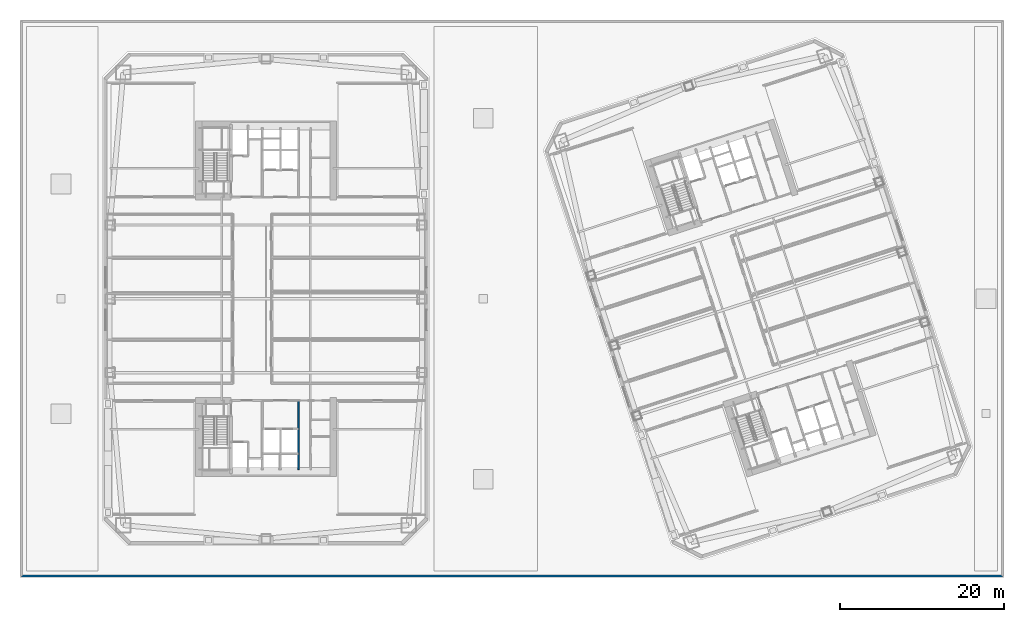
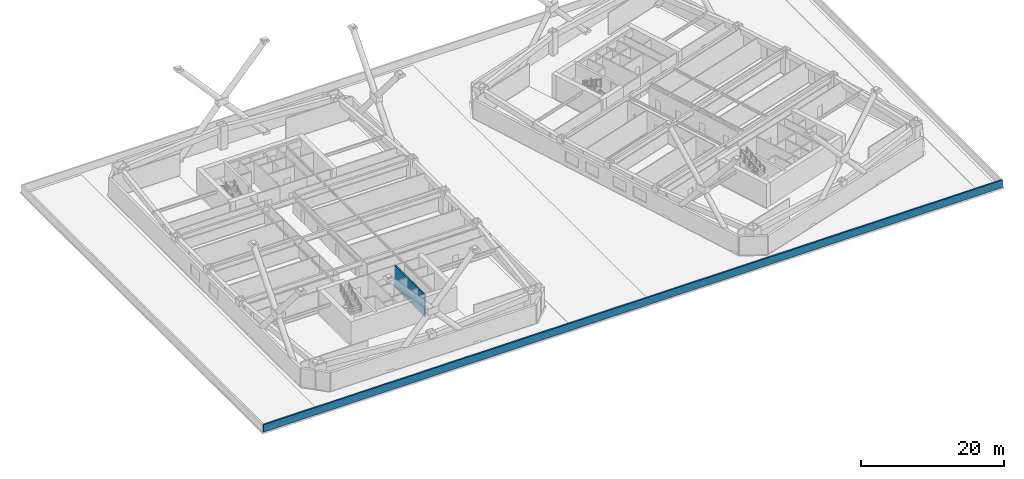
# One storey, part 6 of 20: 2 walls.
"""IFC4 building model written with IfcOpenShell, lengths in metres."""

from ifc_helpers import new_model, si_unit, direction, frame, frame_2d, origin, place, context, subcontext, project, spatial, rectangle, extrude, material, layer, layer_set, type_object, element, save


model = new_model("IFC4")

# Units and contexts
model_context = context("Model", 3, precision=1e-05, world=origin(), true_north=direction((0.0, 1.0)))
body_context = subcontext(model_context, "Body", "Model", "MODEL_VIEW")
ifc_project = project(units=[si_unit("LENGTHUNIT", "METRE"), si_unit("AREAUNIT", "SQUARE_METRE"), si_unit("VOLUMEUNIT", "CUBIC_METRE"), si_unit("PLANEANGLEUNIT", "RADIAN"), si_unit("MASSUNIT", "GRAM", prefix="KILO")], contexts=[model_context])

# Site, building, storey
site_placement = place(None, origin())
site = spatial("IfcSite", under=ifc_project, at=site_placement, CompositionType="ELEMENT")
building_placement = place(site_placement, origin())
building = spatial("IfcBuilding", under=site, at=building_placement, Name="Qiaolan Cultural Towers", CompositionType="ELEMENT")
storey_placement = place(building_placement, frame((0.0, 0.0, 26.0)))
storey = spatial("IfcBuildingStorey", under=building, at=storey_placement, Name="L05", CompositionType="ELEMENT", Elevation=26.0)

# Walls
ifc_material_1 = material(Name="Concrete C35 Fire Wall", Category="concrete")
ifc_layer_1 = layer(ifc_material_1, 0.199951171875)
ifc_layer_set_1 = layer_set([ifc_layer_1], Name="Concrete C35 Fire Wall")
wall_type_1 = type_object("IfcWallType", Name="WL-FIRE-200", PredefinedType="PARTITIONING", material=ifc_layer_set_1)
wall_1_placement = place(storey_placement, frame((33.949951171875, 21.60009765625, 0.0), z_axis=(0.0, 0.0, 1.0), x_axis=(0.0, -1.0, 0.0)))
element("IfcWall", 1, at=wall_1_placement, inside=storey, type_object=wall_type_1, Name="L05 T1-CS Lift Core East Wall", PredefinedType="PARTITIONING", context=body_context, shape_type="SweptSolid", body=[
    extrude(rectangle(XDim=8.43017578125, YDim=0.199951171875, at=frame_2d((4.215087890625, 0.0))), origin(), (0.0, 0.0, 1.0), 3.72509765625),
])
ifc_material_2 = material(Name="Precast Concrete C45 Parapet Coping", Category="concrete")
ifc_layer_2 = layer(ifc_material_2, 0.25)
ifc_layer_set_2 = layer_set([ifc_layer_2], Name="Precast Concrete C45 Parapet Coping")
wall_type_2 = type_object("IfcWallType", Name="WL-PARAPET-250", PredefinedType="PARAPET", material=ifc_layer_set_2)
wall_2_placement = place(storey_placement, frame((0.199951171875, 0.199951171875, 0.0), z_axis=(0.0, 0.0, 1.0), x_axis=(1.0, 0.0, 0.0)))
element("IfcWall", 2, at=wall_2_placement, inside=storey, type_object=wall_type_2, Name="Podium Perimeter Precast Parapet PW-POD-S", PredefinedType="PARAPET", context=body_context, shape_type="SweptSolid", body=[
    extrude(rectangle(XDim=119.60009765625, YDim=0.25, at=frame_2d((59.800048828125, 0.0))), origin(), (0.0, 0.0, 1.0), 1.25),
])

save(model, "model.ifc")
